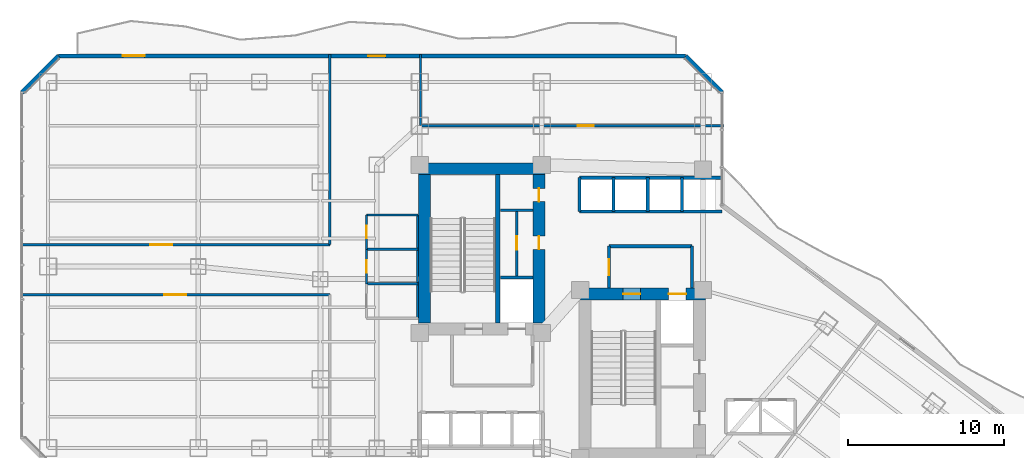
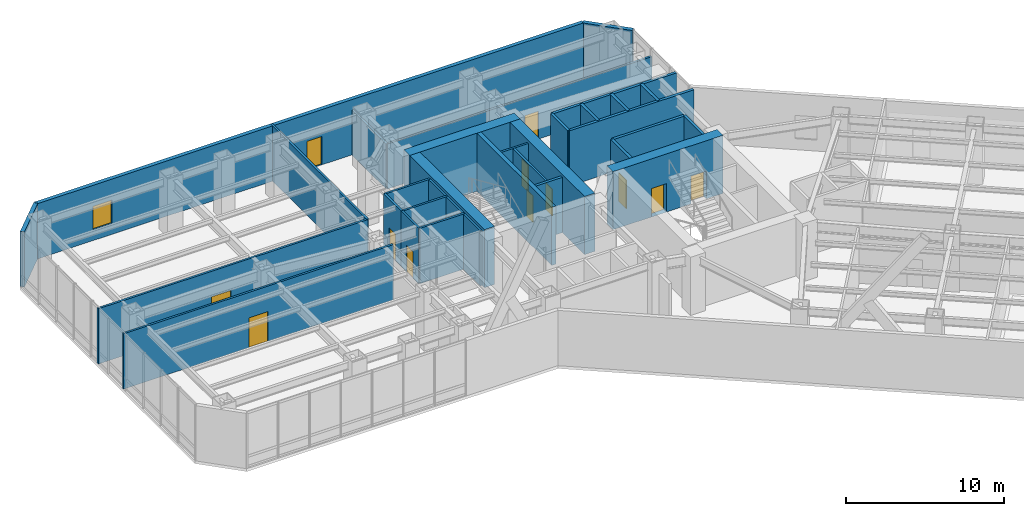
# One storey, part 23 of 29: 31 walls, 12 doors, 1 window, 13 openings.
"""IFC4 building model written with IfcOpenShell, lengths in metres."""

from ifc_helpers import new_model, si_unit, direction, frame, frame_2d, origin, place, context, subcontext, project, spatial, rectangle, extrude, material, layer, layer_set, type_object, element, fill, save


model = new_model("IFC4")

# Units and contexts
model_context = context("Model", 3, precision=1e-05, world=origin(), true_north=direction((0.0, 1.0)))
body_context = subcontext(model_context, "Body", "Model", "MODEL_VIEW")
ifc_project = project(units=[si_unit("LENGTHUNIT", "METRE"), si_unit("AREAUNIT", "SQUARE_METRE"), si_unit("VOLUMEUNIT", "CUBIC_METRE"), si_unit("PLANEANGLEUNIT", "RADIAN"), si_unit("MASSUNIT", "GRAM", prefix="KILO")], contexts=[model_context])

# Site, building, storey
site_placement = place(None, origin())
site = spatial("IfcSite", under=ifc_project, at=site_placement, CompositionType="ELEMENT")
building_placement = place(site_placement, origin())
building = spatial("IfcBuilding", under=site, at=building_placement, Name="Hatsunagi Terrace Concourse", CompositionType="ELEMENT")
storey_placement = place(building_placement, frame((0.0, 0.0, 32.10009765625)))
storey = spatial("IfcBuildingStorey", under=building, at=storey_placement, Name="L07", CompositionType="ELEMENT", Elevation=32.10009765625)

# Walls
ifc_material_1 = material(Name="Concrete Fc60", Category="concrete")
ifc_layer_1 = layer(ifc_material_1, 0.75)
ifc_layer_set_1 = layer_set([ifc_layer_1], Name="CoreShearWall_Fc60_750")
wall_type_1 = type_object("IfcWallType", Name="CoreShearWall_Fc60_750", PredefinedType="SHEAR", material=ifc_layer_set_1)
wall_1_placement = place(storey_placement, frame((25.469970703125, 43.044921875, 0.0), z_axis=(0.0, 0.0, 1.0), x_axis=(1.0, 0.0, 0.0)))
element("IfcWall", 1, at=wall_1_placement, inside=storey, type_object=wall_type_1, Name="Core A Shear Wall N L07", PredefinedType="SHEAR", context=body_context, shape_type="SweptSolid", body=[
    extrude(rectangle(XDim=8.080078125, YDim=0.75, at=frame_2d((4.0400390625, 0.0))), origin(), (0.0, 0.0, 1.0), 4.5),
])
wall_2_placement = place(storey_placement, frame((25.844970703125, 33.18994140625, 0.0), z_axis=(0.0, 0.0, 1.0), x_axis=(0.0, 1.0, 0.0)))
element("IfcWall", 2, at=wall_2_placement, inside=storey, type_object=wall_type_1, Name="Core A Shear Wall W L07", PredefinedType="SHEAR", context=body_context, shape_type="SweptSolid", body=[
    extrude(rectangle(XDim=9.47998046875, YDim=0.75, at=frame_2d((4.739990234375, 0.0))), origin(), (0.0, 0.0, 1.0), 4.5),
])

# Wall, openings, doors
wall_3_placement = place(storey_placement, frame((33.175048828125, 33.18994140625, 0.0), z_axis=(0.0, 0.0, 1.0), x_axis=(0.0, 1.0, 0.0)))
wall_3 = element("IfcWall", 3, at=wall_3_placement, inside=storey, type_object=wall_type_1, Name="Core A Shear Wall E L07", PredefinedType="SHEAR", context=body_context, shape_type="SweptSolid", body=[
    extrude(rectangle(XDim=9.47998046875, YDim=0.75, at=frame_2d((4.739990234375, 0.0))), origin(), (0.0, 0.0, 1.0), 4.5),
])
opening_1_placement = place(wall_3_placement, frame((4.7099609375, 0.0, 0.0)))
opening_1 = element("IfcOpeningElement", 4, at=opening_1_placement, cuts=wall_3, Name="Opening DR-085", PredefinedType="OPENING", context=body_context, shape_type="SweptSolid", body=[
    extrude(rectangle(XDim=0.85009765625, YDim=2.080078125, at=frame_2d((0.425048828125, 1.0400390625))), frame((0.0, 0.385009765625, 0.0), z_axis=(0.0, -1.0, 0.0), x_axis=(1.0, 0.0, 0.0)), (0.0, 0.0, 1.0), 0.77001953125),
])
opening_2_placement = place(wall_3_placement, frame((7.760009765625, 0.0, 0.0)))
opening_2 = element("IfcOpeningElement", 5, at=opening_2_placement, cuts=wall_3, Name="Opening DR-085", PredefinedType="OPENING", context=body_context, shape_type="SweptSolid", body=[
    extrude(rectangle(XDim=0.85009765625, YDim=2.080078125, at=frame_2d((0.425048828125, 1.0400390625))), frame((0.0, 0.385009765625, 0.0), z_axis=(0.0, -1.0, 0.0), x_axis=(1.0, 0.0, 0.0)), (0.0, 0.0, 1.0), 0.77001953125),
])
ifc_material_2 = material(Name="Painted steel", Category="steel")
door_type_1 = type_object("IfcDoorType", Name="RiserAccessDoor_EI60_850", OperationType="NOTDEFINED", PredefinedType="DOOR", material=ifc_material_2)
door_1_placement = place(opening_1_placement, origin())
door_1 = element("IfcDoor", 6, at=door_1_placement, inside=storey, type_object=door_type_1, Name="Core A Riser Door L07-1", OperationType="SINGLE_SWING_LEFT", OverallHeight=2.080078125, OverallWidth=0.85009765625, PredefinedType="DOOR", context=body_context, shape_type="SweptSolid", body=[
    extrude(rectangle(XDim=0.85009765625, YDim=2.080078125, at=frame_2d((0.425048828125, 1.0400390625))), frame((0.0, 0.02490234375, 0.0), z_axis=(0.0, -1.0, 0.0), x_axis=(1.0, 0.0, 0.0)), (0.0, 0.0, 1.0), 0.050048828125),
])
fill(opening_1, door_1)
door_2_placement = place(opening_2_placement, origin())
door_2 = element("IfcDoor", 7, at=door_2_placement, inside=storey, type_object=door_type_1, Name="Core A Riser Door L07-2", OperationType="SINGLE_SWING_LEFT", OverallHeight=2.080078125, OverallWidth=0.85009765625, PredefinedType="DOOR", context=body_context, shape_type="SweptSolid", body=[
    extrude(rectangle(XDim=0.85009765625, YDim=2.080078125, at=frame_2d((0.425048828125, 1.0400390625))), frame((0.0, 0.02490234375, 0.0), z_axis=(0.0, -1.0, 0.0), x_axis=(1.0, 0.0, 0.0)), (0.0, 0.0, 1.0), 0.050048828125),
])
fill(opening_2, door_2)

wall_4_placement = place(storey_placement, frame((35.739990234375, 35.044921875, 0.0), z_axis=(0.0, 0.0, 1.0), x_axis=(1.0, 0.0, 0.0)))
wall_4 = element("IfcWall", 8, at=wall_4_placement, inside=storey, type_object=wall_type_1, Name="Core B Shear Wall N L07", PredefinedType="SHEAR", context=body_context, shape_type="SweptSolid", body=[
    extrude(rectangle(XDim=8.06005859375, YDim=0.75, at=frame_2d((4.030029296875, 0.0))), origin(), (0.0, 0.0, 1.0), 4.5),
])
opening_3_placement = place(wall_4_placement, frame((2.81005859375, 0.0, 0.0)))
opening_3 = element("IfcOpeningElement", 9, at=opening_3_placement, cuts=wall_4, Name="Opening DR-110S", PredefinedType="OPENING", context=body_context, shape_type="SweptSolid", body=[
    extrude(rectangle(XDim=1.10009765625, YDim=2.199951171875, at=frame_2d((0.550048828125, 1.10009765625))), frame((0.0, 0.385009765625, 0.0), z_axis=(0.0, -1.0, 0.0), x_axis=(1.0, 0.0, 0.0)), (0.0, 0.0, 1.0), 0.77001953125),
])
opening_4_placement = place(wall_4_placement, frame((5.7099609375, 0.0, 0.0)))
opening_4 = element("IfcOpeningElement", 10, at=opening_4_placement, cuts=wall_4, Name="Opening LD-02", PredefinedType="OPENING", context=body_context, shape_type="SweptSolid", body=[
    extrude(rectangle(XDim=1.1201171875, YDim=2.14990234375, at=frame_2d((0.56005859375, 1.074951171875))), frame((0.0, 0.385009765625, 0.0), z_axis=(0.0, -1.0, 0.0), x_axis=(1.0, 0.0, 0.0)), (0.0, 0.0, 1.0), 0.77001953125),
])
ifc_material_3 = material(Name="Stainless steel", Category="steel")
door_type_2 = type_object("IfcDoorType", Name="LiftLandingDoor_LD02", OperationType="SLIDING_TO_RIGHT", PredefinedType="USERDEFINED", material=ifc_material_3)
door_3_placement = place(opening_4_placement, origin())
door_3 = element("IfcDoor", 11, at=door_3_placement, inside=storey, type_object=door_type_2, Name="Lift landing door FF-02 L07", ObjectType="SLIDING_LANDING_DOOR", OperationType="SLIDING_TO_RIGHT", OverallHeight=2.14990234375, OverallWidth=1.1201171875, PredefinedType="USERDEFINED", context=body_context, shape_type="SweptSolid", body=[
    extrude(rectangle(XDim=1.1201171875, YDim=2.14990234375, at=frame_2d((0.56005859375, 1.074951171875))), frame((0.0, 0.02490234375, 0.0), z_axis=(0.0, -1.0, 0.0), x_axis=(1.0, 0.0, 0.0)), (0.0, 0.0, 1.0), 0.050048828125),
])
fill(opening_4, door_3)
ifc_material_4 = material(Name="Painted steel", Category="steel")
door_type_3 = type_object("IfcDoorType", Name="StairFireDoor_EI60_1100", OperationType="NOTDEFINED", PredefinedType="DOOR", material=ifc_material_4)
door_4_placement = place(opening_3_placement, origin())
door_4 = element("IfcDoor", 12, at=door_4_placement, inside=storey, type_object=door_type_3, Name="Stair ST-B Exit Door L07", OperationType="SINGLE_SWING_RIGHT", OverallHeight=2.199951171875, OverallWidth=1.10009765625, PredefinedType="DOOR", context=body_context, shape_type="SweptSolid", body=[
    extrude(rectangle(XDim=1.10009765625, YDim=2.199951171875, at=frame_2d((0.550048828125, 1.10009765625))), frame((0.0, 0.02490234375, 0.0), z_axis=(0.0, -1.0, 0.0), x_axis=(1.0, 0.0, 0.0)), (0.0, 0.0, 1.0), 0.050048828125),
])
fill(opening_3, door_4)

# Wall
ifc_material_5 = material(Name="Concrete Fc48", Category="concrete")
ifc_layer_2 = layer(ifc_material_5, 0.300048828125)
ifc_layer_set_2 = layer_set([ifc_layer_2], Name="CoreStairDivider_Fc48_300")
wall_type_2 = type_object("IfcWallType", Name="CoreStairDivider_Fc48_300", PredefinedType="SHEAR", material=ifc_layer_set_2)
wall_5_placement = place(storey_placement, frame((30.5400390625, 33.18994140625, 0.0), z_axis=(0.0, 0.0, 1.0), x_axis=(0.0, 1.0, 0.0)))
element("IfcWall", 13, at=wall_5_placement, inside=storey, type_object=wall_type_2, Name="Core A Shear Wall D L07", PredefinedType="SHEAR", context=body_context, shape_type="SweptSolid", body=[
    extrude(rectangle(XDim=9.47998046875, YDim=0.300048828125, at=frame_2d((4.739990234375, 0.0))), origin(), (0.0, 0.0, 1.0), 4.5),
])

# Wall, opening, door
ifc_material_6 = material(Name="Acoustic mineral board", Category="gypsum")
ifc_layer_3 = layer(ifc_material_6, 0.14990234375)
ifc_layer_set_3 = layer_set([ifc_layer_3], Name="PartitionWall_EI60_150")
wall_type_3 = type_object("IfcWallType", Name="PartitionWall_EI60_150", PredefinedType="PARTITIONING", material=ifc_layer_set_3)
wall_6_placement = place(storey_placement, frame((31.75, 36.179931640625, 0.0), z_axis=(0.0, 0.0, 1.0), x_axis=(0.0, 1.0, 0.0)))
wall_6 = element("IfcWall", 14, at=wall_6_placement, inside=storey, type_object=wall_type_3, Name="Interior Partition IW-L07-002", PredefinedType="PARTITIONING", context=body_context, shape_type="SweptSolid", body=[
    extrude(rectangle(XDim=4.239990234375, YDim=0.14990234375, at=frame_2d((2.1201171875, 0.0))), origin(), (0.0, 0.0, 1.0), 4.27978515625),
])
opening_5_placement = place(wall_6_placement, frame((1.695068359375, 0.0, 0.0)))
opening_5 = element("IfcOpeningElement", 15, at=opening_5_placement, cuts=wall_6, Name="Opening DR-085", PredefinedType="OPENING", context=body_context, shape_type="SweptSolid", body=[
    extrude(rectangle(XDim=0.85009765625, YDim=2.080078125, at=frame_2d((0.425048828125, 1.0400390625))), frame((0.0, 0.0849609375, 0.0), z_axis=(0.0, -1.0, 0.0), x_axis=(1.0, 0.0, 0.0)), (0.0, 0.0, 1.0), 0.169921875),
])
door_5_placement = place(opening_5_placement, origin())
door_5 = element("IfcDoor", 16, at=door_5_placement, inside=storey, type_object=door_type_1, Name="Core A Sub-Riser Door L07", OperationType="SINGLE_SWING_LEFT", OverallHeight=2.080078125, OverallWidth=0.85009765625, PredefinedType="DOOR", context=body_context, shape_type="SweptSolid", body=[
    extrude(rectangle(XDim=0.85009765625, YDim=2.080078125, at=frame_2d((0.425048828125, 1.0400390625))), frame((0.0, 0.02490234375, 0.0), z_axis=(0.0, -1.0, 0.0), x_axis=(1.0, 0.0, 0.0)), (0.0, 0.0, 1.0), 0.050048828125),
])
fill(opening_5, door_5)

# Walls
wall_7_placement = place(storey_placement, frame((30.699951171875, 40.39990234375, 0.0), z_axis=(0.0, 0.0, 1.0), x_axis=(1.0, 0.0, 0.0)))
element("IfcWall", 17, at=wall_7_placement, inside=storey, type_object=wall_type_3, Name="Interior Partition IW-L07-003", PredefinedType="PARTITIONING", context=body_context, shape_type="SweptSolid", body=[
    extrude(rectangle(XDim=2.10009765625, YDim=0.14990234375, at=frame_2d((1.050048828125, 0.0))), origin(), (0.0, 0.0, 1.0), 4.27978515625),
])
wall_8_placement = place(storey_placement, frame((22.14990234375, 40.10009765625, 0.0), z_axis=(0.0, 0.0, 1.0), x_axis=(1.0, 0.0, 0.0)))
element("IfcWall", 18, at=wall_8_placement, inside=storey, type_object=wall_type_3, Name="Interior Partition IW-L07-031", PredefinedType="PARTITIONING", context=body_context, shape_type="SweptSolid", body=[
    extrude(rectangle(XDim=3.300048828125, YDim=0.14990234375, at=frame_2d((1.64990234375, 0.0))), origin(), (0.0, 0.0, 1.0), 4.27978515625),
])
wall_9_placement = place(storey_placement, frame((25.39990234375, 33.5, 0.0), z_axis=(0.0, 0.0, 1.0), x_axis=(0.0, 1.0, 0.0)))
element("IfcWall", 19, at=wall_9_placement, inside=storey, type_object=wall_type_3, Name="Interior Partition IW-L07-032", PredefinedType="PARTITIONING", context=body_context, shape_type="SweptSolid", body=[
    extrude(rectangle(XDim=6.60009765625, YDim=0.14990234375, at=frame_2d((3.300048828125, 0.0))), origin(), (0.0, 0.0, 1.0), 4.27978515625),
])
for number, where, z_axis, x_axis, name in (
    (20, (22.14990234375, 35.699951171875, 0.0), (0.0, 0.0, 1.0), (1.0, 0.0, 0.0), "Interior Partition IW-L07-033"),
    (21, (22.14990234375, 37.89990234375, 0.0), (0.0, 0.0, 1.0), (1.0, 0.0, 0.0), "Interior Partition IW-L07-034"),
):
    element("IfcWall", number, at=place(storey_placement, frame(where, z_axis=z_axis, x_axis=x_axis)), inside=storey, type_object=wall_type_3, Name=name, PredefinedType="PARTITIONING", context=body_context, shape_type="SweptSolid", body=[
        extrude(rectangle(XDim=3.300048828125, YDim=0.14990234375, at=frame_2d((1.64990234375, 0.0))), origin(), (0.0, 0.0, 1.0), 4.27978515625),
    ])

# Wall, opening, door
wall_10_placement = place(storey_placement, frame((22.14990234375, 35.699951171875, 0.0), z_axis=(0.0, 0.0, 1.0), x_axis=(0.0, 1.0, 0.0)))
wall_10 = element("IfcWall", 22, at=wall_10_placement, inside=storey, type_object=wall_type_3, Name="Interior Partition IW-L07-036", PredefinedType="PARTITIONING", context=body_context, shape_type="SweptSolid", body=[
    extrude(rectangle(XDim=2.199951171875, YDim=0.14990234375, at=frame_2d((1.10009765625, 0.0))), origin(), (0.0, 0.0, 1.0), 4.27978515625),
])
opening_6_placement = place(wall_10_placement, frame((0.699951171875, 0.0, 0.0)))
opening_6 = element("IfcOpeningElement", 23, at=opening_6_placement, cuts=wall_10, Name="Opening DR-080", PredefinedType="OPENING", context=body_context, shape_type="SweptSolid", body=[
    extrude(rectangle(XDim=0.800048828125, YDim=2.06005859375, at=frame_2d((0.39990234375, 1.030029296875))), frame((0.0, 0.0849609375, 0.0), z_axis=(0.0, -1.0, 0.0), x_axis=(1.0, 0.0, 0.0)), (0.0, 0.0, 1.0), 0.169921875),
])
ifc_material_7 = material(Name="Hardwood timber", Category="wood")
door_type_4 = type_object("IfcDoorType", Name="BathroomDoor_800", OperationType="NOTDEFINED", PredefinedType="DOOR", material=ifc_material_7)
door_6_placement = place(opening_6_placement, origin())
door_6 = element("IfcDoor", 24, at=door_6_placement, inside=storey, type_object=door_type_4, Name="Female Restroom Door L07", OperationType="SINGLE_SWING_RIGHT", OverallHeight=2.06005859375, OverallWidth=0.800048828125, PredefinedType="DOOR", context=body_context, shape_type="SweptSolid", body=[
    extrude(rectangle(XDim=0.800048828125, YDim=2.06005859375, at=frame_2d((0.39990234375, 1.030029296875))), frame((0.0, 0.02490234375, 0.0), z_axis=(0.0, -1.0, 0.0), x_axis=(1.0, 0.0, 0.0)), (0.0, 0.0, 1.0), 0.050048828125),
])
fill(opening_6, door_6)

wall_11_placement = place(storey_placement, frame((22.14990234375, 37.89990234375, 0.0), z_axis=(0.0, 0.0, 1.0), x_axis=(0.0, 1.0, 0.0)))
wall_11 = element("IfcWall", 25, at=wall_11_placement, inside=storey, type_object=wall_type_3, Name="Interior Partition IW-L07-037", PredefinedType="PARTITIONING", context=body_context, shape_type="SweptSolid", body=[
    extrude(rectangle(XDim=2.2001953125, YDim=0.14990234375, at=frame_2d((1.10009765625, 0.0))), origin(), (0.0, 0.0, 1.0), 4.27978515625),
])
opening_7_placement = place(wall_11_placement, frame((0.699951171875, 0.0, 0.0)))
opening_7 = element("IfcOpeningElement", 26, at=opening_7_placement, cuts=wall_11, Name="Opening DR-080", PredefinedType="OPENING", context=body_context, shape_type="SweptSolid", body=[
    extrude(rectangle(XDim=0.800048828125, YDim=2.06005859375, at=frame_2d((0.39990234375, 1.030029296875))), frame((0.0, 0.0849609375, 0.0), z_axis=(0.0, -1.0, 0.0), x_axis=(1.0, 0.0, 0.0)), (0.0, 0.0, 1.0), 0.169921875),
])
door_7_placement = place(opening_7_placement, origin())
door_7 = element("IfcDoor", 27, at=door_7_placement, inside=storey, type_object=door_type_4, Name="Male Restroom Door L07", OperationType="SINGLE_SWING_RIGHT", OverallHeight=2.06005859375, OverallWidth=0.800048828125, PredefinedType="DOOR", context=body_context, shape_type="SweptSolid", body=[
    extrude(rectangle(XDim=0.800048828125, YDim=2.06005859375, at=frame_2d((0.39990234375, 1.030029296875))), frame((0.0, 0.02490234375, 0.0), z_axis=(0.0, -1.0, 0.0), x_axis=(1.0, 0.0, 0.0)), (0.0, 0.0, 1.0), 0.050048828125),
])
fill(opening_7, door_7)

wall_12_placement = place(storey_placement, frame((0.0400390625, 38.199951171875, 0.0), z_axis=(0.0, 0.0, 1.0), x_axis=(1.0, 0.0, 0.0)))
wall_12 = element("IfcWall", 28, at=wall_12_placement, inside=storey, type_object=wall_type_3, Name="Interior Partition IW-L07-038", PredefinedType="PARTITIONING", context=body_context, shape_type="SweptSolid", body=[
    extrude(rectangle(XDim=19.760009765625, YDim=0.14990234375, at=frame_2d((9.8798828125, 0.0))), origin(), (0.0, 0.0, 1.0), 4.27978515625),
])
opening_8_placement = place(wall_12_placement, frame((8.300048828125, 0.0, 0.0)))
opening_8 = element("IfcOpeningElement", 29, at=opening_8_placement, cuts=wall_12, Name="Opening DR-140", PredefinedType="OPENING", context=body_context, shape_type="SweptSolid", body=[
    extrude(rectangle(XDim=1.39990234375, YDim=2.300048828125, at=frame_2d((0.699951171875, 1.14990234375))), frame((0.0, 0.0849609375, 0.0), z_axis=(0.0, -1.0, 0.0), x_axis=(1.0, 0.0, 0.0)), (0.0, 0.0, 1.0), 0.169921875),
])
ifc_material_8 = material(Name="Hardwood timber", Category="wood")
door_type_5 = type_object("IfcDoorType", Name="LoungeDiningDoubleDoor_1400", OperationType="DOUBLE_DOOR_SINGLE_SWING", PredefinedType="DOOR", material=ifc_material_8)
door_8_placement = place(opening_8_placement, origin())
door_8 = element("IfcDoor", 30, at=door_8_placement, inside=storey, type_object=door_type_5, Name="All-Day Dining Restaurant L07-REST Door", OperationType="DOUBLE_DOOR_SINGLE_SWING", OverallHeight=2.300048828125, OverallWidth=1.39990234375, PredefinedType="DOOR", context=body_context, shape_type="SweptSolid", body=[
    extrude(rectangle(XDim=1.39990234375, YDim=2.300048828125, at=frame_2d((0.699951171875, 1.14990234375))), frame((0.0, 0.02490234375, 0.0), z_axis=(0.0, -1.0, 0.0), x_axis=(1.0, 0.0, 0.0)), (0.0, 0.0, 1.0), 0.050048828125),
])
fill(opening_8, door_8)

# Wall
wall_13_placement = place(storey_placement, frame((19.800048828125, 38.199951171875, 0.0), z_axis=(0.0, 0.0, 1.0), x_axis=(0.0, 1.0, 0.0)))
element("IfcWall", 31, at=wall_13_placement, inside=storey, type_object=wall_type_3, Name="Interior Partition IW-L07-039", PredefinedType="PARTITIONING", context=body_context, shape_type="SweptSolid", body=[
    extrude(rectangle(XDim=12.16015625, YDim=0.14990234375, at=frame_2d((6.080078125, 0.0))), origin(), (0.0, 0.0, 1.0), 4.27978515625),
])

# Wall, opening, door
wall_14_placement = place(storey_placement, frame((0.0400390625, 35.0, 0.0), z_axis=(0.0, 0.0, 1.0), x_axis=(1.0, 0.0, 0.0)))
wall_14 = element("IfcWall", 32, at=wall_14_placement, inside=storey, type_object=wall_type_3, Name="Interior Partition IW-L07-040", PredefinedType="PARTITIONING", context=body_context, shape_type="SweptSolid", body=[
    extrude(rectangle(XDim=19.760009765625, YDim=0.14990234375, at=frame_2d((9.8798828125, 0.0))), origin(), (0.0, 0.0, 1.0), 4.27978515625),
])
opening_9_placement = place(wall_14_placement, frame((9.179931640625, 0.0, 0.0)))
opening_9 = element("IfcOpeningElement", 33, at=opening_9_placement, cuts=wall_14, Name="Opening DR-140", PredefinedType="OPENING", context=body_context, shape_type="SweptSolid", body=[
    extrude(rectangle(XDim=1.39990234375, YDim=2.300048828125, at=frame_2d((0.699951171875, 1.14990234375))), frame((0.0, 0.0849609375, 0.0), z_axis=(0.0, -1.0, 0.0), x_axis=(1.0, 0.0, 0.0)), (0.0, 0.0, 1.0), 0.169921875),
])
door_9_placement = place(opening_9_placement, origin())
door_9 = element("IfcDoor", 34, at=door_9_placement, inside=storey, type_object=door_type_5, Name="Hotel Bar Lounge L07-BAR Door", OperationType="DOUBLE_DOOR_SINGLE_SWING", OverallHeight=2.300048828125, OverallWidth=1.39990234375, PredefinedType="DOOR", context=body_context, shape_type="SweptSolid", body=[
    extrude(rectangle(XDim=1.39990234375, YDim=2.300048828125, at=frame_2d((0.699951171875, 1.14990234375))), frame((0.0, 0.02490234375, 0.0), z_axis=(0.0, -1.0, 0.0), x_axis=(1.0, 0.0, 0.0)), (0.0, 0.0, 1.0), 0.050048828125),
])
fill(opening_9, door_9)

wall_15_placement = place(storey_placement, frame((25.60009765625, 45.800048828125, 0.0), z_axis=(0.0, 0.0, 1.0), x_axis=(1.0, 0.0, 0.0)))
wall_15 = element("IfcWall", 35, at=wall_15_placement, inside=storey, type_object=wall_type_3, Name="Interior Partition IW-L07-042", PredefinedType="PARTITIONING", context=body_context, shape_type="SweptSolid", body=[
    extrude(rectangle(XDim=19.35986328125, YDim=0.14990234375, at=frame_2d((9.679931640625, 0.0))), origin(), (0.0, 0.0, 1.0), 3.474853515625),
])
opening_10_placement = place(wall_15_placement, frame((10.06005859375, 0.0, 0.0)))
opening_10 = element("IfcOpeningElement", 36, at=opening_10_placement, cuts=wall_15, Name="Opening DR-100S", PredefinedType="OPENING", context=body_context, shape_type="SweptSolid", body=[
    extrude(rectangle(XDim=1.0, YDim=2.14990234375, at=frame_2d((0.5, 1.074951171875))), frame((0.0, 0.0849609375, 0.0), z_axis=(0.0, -1.0, 0.0), x_axis=(1.0, 0.0, 0.0)), (0.0, 0.0, 1.0), 0.169921875),
])
ifc_material_9 = material(Name="Hardwood timber", Category="wood")
door_type_6 = type_object("IfcDoorType", Name="SuiteDoor_EI30_1000", OperationType="NOTDEFINED", PredefinedType="DOOR", material=ifc_material_9)
door_10_placement = place(opening_10_placement, origin())
door_10 = element("IfcDoor", 37, at=door_10_placement, inside=storey, type_object=door_type_6, Name="VIP Lounge L07-HVIP Door", OperationType="SINGLE_SWING_LEFT", OverallHeight=2.14990234375, OverallWidth=1.0, PredefinedType="DOOR", context=body_context, shape_type="SweptSolid", body=[
    extrude(rectangle(XDim=1.0, YDim=2.14990234375, at=frame_2d((0.5, 1.074951171875))), frame((0.0, 0.02490234375, 0.0), z_axis=(0.0, -1.0, 0.0), x_axis=(1.0, 0.0, 0.0)), (0.0, 0.0, 1.0), 0.050048828125),
])
fill(opening_10, door_10)

# Walls
wall_16_placement = place(storey_placement, frame((25.60009765625, 45.800048828125, 0.0), z_axis=(0.0, 0.0, 1.0), x_axis=(0.0, 1.0, 0.0)))
element("IfcWall", 38, at=wall_16_placement, inside=storey, type_object=wall_type_3, Name="Interior Partition IW-L07-043", PredefinedType="PARTITIONING", context=body_context, shape_type="SweptSolid", body=[
    extrude(rectangle(XDim=4.56005859375, YDim=0.14990234375, at=frame_2d((2.280029296875, 0.0))), origin(), (0.0, 0.0, 1.0), 3.474853515625),
])
ifc_material_10 = material(Name="Acoustic mineral board", Category="gypsum")
ifc_layer_4 = layer(ifc_material_10, 0.199951171875)
ifc_layer_set_4 = layer_set([ifc_layer_4], Name="ShaftWall_EI120_200")
wall_type_4 = type_object("IfcWallType", Name="ShaftWall_EI120_200", PredefinedType="STANDARD", material=ifc_layer_set_4)
wall_17_placement = place(storey_placement, frame((30.699951171875, 36.10009765625, 0.0), z_axis=(0.0, 0.0, 1.0), x_axis=(1.0, 0.0, 0.0)))
element("IfcWall", 39, at=wall_17_placement, inside=storey, type_object=wall_type_4, Name="Interior Partition IW-L07-001", PredefinedType="STANDARD", context=body_context, shape_type="SweptSolid", body=[
    extrude(rectangle(XDim=2.10009765625, YDim=0.199951171875, at=frame_2d((1.050048828125, 0.0))), origin(), (0.0, 0.0, 1.0), 4.27978515625),
])
wall_18_placement = place(storey_placement, frame((37.64990234375, 38.10009765625, 0.0), z_axis=(0.0, 0.0, 1.0), x_axis=(1.0, 0.0, 0.0)))
element("IfcWall", 40, at=wall_18_placement, inside=storey, type_object=wall_type_4, Name="Interior Partition IW-L07-009", PredefinedType="STANDARD", context=body_context, shape_type="SweptSolid", body=[
    extrude(rectangle(XDim=5.300048828125, YDim=0.199951171875, at=frame_2d((2.64990234375, 0.0))), origin(), (0.0, 0.0, 1.0), 4.27978515625),
])
wall_19_placement = place(storey_placement, frame((42.949951171875, 35.419921875, 0.0), z_axis=(0.0, 0.0, 1.0), x_axis=(0.0, 1.0, 0.0)))
element("IfcWall", 41, at=wall_19_placement, inside=storey, type_object=wall_type_4, Name="Interior Partition IW-L07-010", PredefinedType="STANDARD", context=body_context, shape_type="SweptSolid", body=[
    extrude(rectangle(XDim=2.68017578125, YDim=0.199951171875, at=frame_2d((1.340087890625, 0.0))), origin(), (0.0, 0.0, 1.0), 4.27978515625),
])

# Wall, opening, door
wall_20_placement = place(storey_placement, frame((37.64990234375, 35.419921875, 0.0), z_axis=(0.0, 0.0, 1.0), x_axis=(0.0, 1.0, 0.0)))
wall_20 = element("IfcWall", 42, at=wall_20_placement, inside=storey, type_object=wall_type_4, Name="Interior Partition IW-L07-011", PredefinedType="STANDARD", context=body_context, shape_type="SweptSolid", body=[
    extrude(rectangle(XDim=2.68017578125, YDim=0.199951171875, at=frame_2d((1.340087890625, 0.0))), origin(), (0.0, 0.0, 1.0), 4.27978515625),
])
opening_11_placement = place(wall_20_placement, frame((0.840087890625, 0.0, 0.0)))
opening_11 = element("IfcOpeningElement", 43, at=opening_11_placement, cuts=wall_20, Name="Opening DR-100F", PredefinedType="OPENING", context=body_context, shape_type="SweptSolid", body=[
    extrude(rectangle(XDim=1.0, YDim=2.199951171875, at=frame_2d((0.5, 1.10009765625))), frame((0.0, 0.10986328125, 0.0), z_axis=(0.0, -1.0, 0.0), x_axis=(1.0, 0.0, 0.0)), (0.0, 0.0, 1.0), 0.219970703125),
])
ifc_material_11 = material(Name="Painted steel", Category="steel")
door_type_7 = type_object("IfcDoorType", Name="FireDoor_EI60_1000", OperationType="NOTDEFINED", PredefinedType="DOOR", material=ifc_material_11)
door_11_placement = place(opening_11_placement, origin())
door_11 = element("IfcDoor", 44, at=door_11_placement, inside=storey, type_object=door_type_7, Name="Firefighting Lobby B Door L07", OperationType="SINGLE_SWING_RIGHT", OverallHeight=2.199951171875, OverallWidth=1.0, PredefinedType="DOOR", context=body_context, shape_type="SweptSolid", body=[
    extrude(rectangle(XDim=1.0, YDim=2.199951171875, at=frame_2d((0.5, 1.10009765625))), frame((0.0, 0.02490234375, 0.0), z_axis=(0.0, -1.0, 0.0), x_axis=(1.0, 0.0, 0.0)), (0.0, 0.0, 1.0), 0.050048828125),
])
fill(opening_11, door_11)

# Walls
wall_21_placement = place(storey_placement, frame((35.75, 42.47998046875, 0.0), z_axis=(0.0, 0.0, 1.0), x_axis=(1.0, 0.0, 0.0)))
element("IfcWall", 45, at=wall_21_placement, inside=storey, type_object=wall_type_4, Name="Interior Partition IW-L07-019", PredefinedType="STANDARD", context=body_context, shape_type="SweptSolid", body=[
    extrude(rectangle(XDim=9.110107421875, YDim=0.199951171875, at=frame_2d((4.55517578125, 0.0))), origin(), (0.0, 0.0, 1.0), 4.27978515625),
])
for number, where, z_axis, x_axis, name in (
    (46, (35.75, 40.320068359375, 0.0), (0.0, 0.0, 1.0), (0.0, 1.0, 0.0), "Interior Partition IW-L07-020"),
    (47, (37.919921875, 40.320068359375, 0.0), (0.0, 0.0, 1.0), (0.0, 1.0, 0.0), "Interior Partition IW-L07-021"),
    (48, (40.1201171875, 40.320068359375, 0.0), (0.0, 0.0, 1.0), (0.0, 1.0, 0.0), "Interior Partition IW-L07-022"),
    (49, (42.320068359375, 40.320068359375, 0.0), (0.0, 0.0, 1.0), (0.0, 1.0, 0.0), "Interior Partition IW-L07-023"),
):
    element("IfcWall", number, at=place(storey_placement, frame(where, z_axis=z_axis, x_axis=x_axis)), inside=storey, type_object=wall_type_4, Name=name, PredefinedType="STANDARD", context=body_context, shape_type="SweptSolid", body=[
        extrude(rectangle(XDim=2.159912109375, YDim=0.199951171875, at=frame_2d((1.080078125, 0.0))), origin(), (0.0, 0.0, 1.0), 4.27978515625),
    ])
wall_22_placement = place(storey_placement, frame((35.75, 40.320068359375, 0.0), z_axis=(0.0, 0.0, 1.0), x_axis=(1.0, 0.0, 0.0)))
element("IfcWall", 50, at=wall_22_placement, inside=storey, type_object=wall_type_4, Name="Interior Partition IW-L07-024", PredefinedType="STANDARD", context=body_context, shape_type="SweptSolid", body=[
    extrude(rectangle(XDim=9.110107421875, YDim=0.199951171875, at=frame_2d((4.55517578125, 0.0))), origin(), (0.0, 0.0, 1.0), 4.27978515625),
])
ifc_material_12 = material(Name="Autoclaved Lightweight Concrete and Terracotta Cladding", Category="masonry")
ifc_layer_5 = layer(ifc_material_12, 0.280029296875)
ifc_layer_set_5 = layer_set([ifc_layer_5], Name="TerracottaSpandrelWall_280")
wall_type_5 = type_object("IfcWallType", Name="TerracottaSpandrelWall_280", PredefinedType="STANDARD", material=ifc_layer_set_5)
wall_23_placement = place(storey_placement, frame((0.139892578125, 47.94189453125, 0.0), z_axis=(0.0, 0.0, 1.0), x_axis=(0.707106781187, 0.707106781187, 0.0)))
element("IfcWall", 51, at=wall_23_placement, inside=storey, type_object=wall_type_5, Name="Exterior Spandrel Wall EW-L07-10", PredefinedType="STANDARD", context=body_context, shape_type="SweptSolid", body=[
    extrude(rectangle(XDim=3.2783203125, YDim=0.280029296875, at=frame_2d((1.63916015625, 0.0))), origin(), (0.0, 0.0, 1.0), 4.27978515625),
])

# Wall, openings, door, window
wall_24_placement = place(storey_placement, frame((2.4580078125, 50.260009765625, 0.0), z_axis=(0.0, 0.0, 1.0), x_axis=(1.0, 0.0, 0.0)))
wall_24 = element("IfcWall", 52, at=wall_24_placement, inside=storey, type_object=wall_type_5, Name="Exterior Spandrel Wall EW-L07-11", PredefinedType="STANDARD", context=body_context, shape_type="SweptSolid", body=[
    extrude(rectangle(XDim=40.083984375, YDim=0.280029296875, at=frame_2d((20.0419921875, 0.0))), origin(), (0.0, 0.0, 1.0), 4.27978515625),
])
opening_12_placement = place(wall_24_placement, frame((19.7919921875, 0.0, 0.0)))
opening_12 = element("IfcOpeningElement", 53, at=opening_12_placement, cuts=wall_24, Name="Opening BD-01", PredefinedType="OPENING", context=body_context, shape_type="SweptSolid", body=[
    extrude(rectangle(XDim=1.10009765625, YDim=2.199951171875, at=frame_2d((0.550048828125, 1.10009765625))), frame((0.0, 0.14990234375, 0.0), z_axis=(0.0, -1.0, 0.0), x_axis=(1.0, 0.0, 0.0)), (0.0, 0.0, 1.0), 0.300048828125),
])
opening_13_placement = place(wall_24_placement, frame((4.110107421875, 0.0, 0.85009765625)))
opening_13 = element("IfcOpeningElement", 54, at=opening_13_placement, cuts=wall_24, Name="Opening WIN-02", PredefinedType="OPENING", context=body_context, shape_type="SweptSolid", body=[
    extrude(rectangle(XDim=1.39990234375, YDim=1.800048828125, at=frame_2d((0.699951171875, 0.89990234375))), frame((0.0, 0.14990234375, 0.0), z_axis=(0.0, -1.0, 0.0), x_axis=(1.0, 0.0, 0.0)), (0.0, 0.0, 1.0), 0.300048828125),
])
ifc_material_13 = material(Name="Galvanised Steel and Laminated Safety Glass", Category="steel")
door_type_8 = type_object("IfcDoorType", Name="BalconyTerraceAccessDoor_1100x2200", OperationType="SINGLE_SWING_LEFT", PredefinedType="DOOR", material=ifc_material_13)
door_12_placement = place(opening_12_placement, origin())
door_12 = element("IfcDoor", 55, at=door_12_placement, inside=storey, type_object=door_type_8, Name="Engawa Balcony Door L07-BN", OperationType="SINGLE_SWING_RIGHT", OverallHeight=2.199951171875, OverallWidth=1.10009765625, PredefinedType="DOOR", context=body_context, shape_type="SweptSolid", body=[
    extrude(rectangle(XDim=1.10009765625, YDim=2.199951171875, at=frame_2d((0.550048828125, 1.10009765625))), frame((0.0, 0.02490234375, 0.0), z_axis=(0.0, -1.0, 0.0), x_axis=(1.0, 0.0, 0.0)), (0.0, 0.0, 1.0), 0.050048828125),
])
fill(opening_12, door_12)
ifc_material_14 = material(Name="Thermally Broken Aluminium and Low-E Triple Glazing", Category="aluminium")
window_type = type_object("IfcWindowType", Name="HotelOperableVentWindow_1400x1800", PartitioningType="DOUBLE_PANEL_VERTICAL", PredefinedType="WINDOW", material=ifc_material_14)
window_placement = place(opening_13_placement, origin())
window = element("IfcWindow", 56, at=window_placement, inside=storey, type_object=window_type, Name="Balcony Daylighting Window L07-11-1", OverallHeight=1.800048828125, OverallWidth=1.39990234375, PartitioningType="SINGLE_PANEL", PredefinedType="WINDOW", context=body_context, shape_type="SweptSolid", body=[
    extrude(rectangle(XDim=1.39990234375, YDim=1.800048828125, at=frame_2d((0.699951171875, 0.89990234375))), frame((0.0, 0.030029296875, 0.0), z_axis=(0.0, -1.0, 0.0), x_axis=(1.0, 0.0, 0.0)), (0.0, 0.0, 1.0), 0.06005859375),
])
fill(opening_13, window)

# Wall
wall_25_placement = place(storey_placement, frame((42.5419921875, 50.260009765625, 0.0), z_axis=(0.0, 0.0, 1.0), x_axis=(0.707106781187, -0.707106781187, 0.0)))
element("IfcWall", 57, at=wall_25_placement, inside=storey, type_object=wall_type_5, Name="Exterior Spandrel Wall EW-L07-12", PredefinedType="STANDARD", context=body_context, shape_type="SweptSolid", body=[
    extrude(rectangle(XDim=3.2783203125, YDim=0.280029296875, at=frame_2d((1.63916015625, 0.0))), origin(), (0.0, 0.0, 1.0), 4.27978515625),
])

save(model, "model.ifc")
